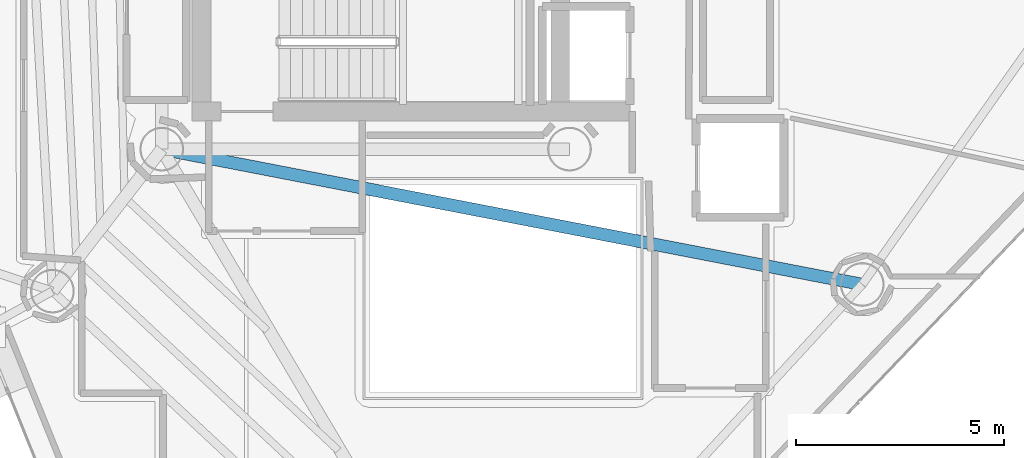
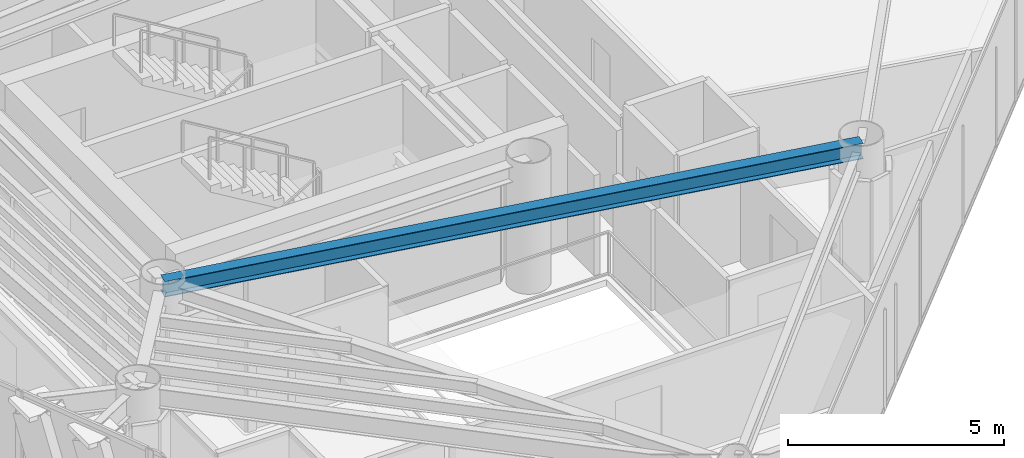
# One storey, part 5 of 21: 1 beam.
"""IFC4 building model written with IfcOpenShell, lengths in metres."""

from ifc_helpers import new_model, si_unit, direction, frame, origin, origin_2d, place, context, subcontext, project, spatial, i_section, extrude, material, material_profile, profile_set, type_object, element, save


model = new_model("IFC4")

# Units and contexts
model_context = context("Model", 3, precision=1e-05, world=origin(), true_north=direction((0.0, 1.0)))
body_context = subcontext(model_context, "Body", "Model", "MODEL_VIEW")
ifc_project = project(units=[si_unit("LENGTHUNIT", "METRE"), si_unit("AREAUNIT", "SQUARE_METRE"), si_unit("VOLUMEUNIT", "CUBIC_METRE"), si_unit("PLANEANGLEUNIT", "RADIAN"), si_unit("MASSUNIT", "GRAM", prefix="KILO")], contexts=[model_context])

# Site, building, storey
site_placement = place(None, origin())
site = spatial("IfcSite", under=ifc_project, at=site_placement, CompositionType="ELEMENT")
building_placement = place(site_placement, origin())
building = spatial("IfcBuilding", under=site, at=building_placement, Name="Qianvela Tower", CompositionType="ELEMENT")
storey_placement = place(building_placement, frame((0.0, 0.0, 242.699951171875)))
storey = spatial("IfcBuildingStorey", under=building, at=storey_placement, Name="L62", CompositionType="ELEMENT", Elevation=242.699951171875)

# Beam
ifc_material = material(Name="Steel Q355B", Category="steel")
ifc_material_profile = material_profile(ifc_material, i_section(OverallWidth=0.300048828125, OverallDepth=0.43994140625, WebThickness=0.010986328125, FlangeThickness=0.01806640625, at=origin_2d()), Name="HM440x300x11x18")
ifc_profile_set = profile_set([ifc_material_profile], Name="Steel Q355B")
beam_type = type_object("IfcBeamType", Name="BM-HM440-COLL", PredefinedType="BEAM", material=ifc_profile_set)
beam_placement = place(storey_placement, frame((28.60009765625, 23.85009765625, 3.298095703125), z_axis=(0.981849104236, -0.189663745904, 0.0), x_axis=(0.189663745904, 0.981849104236, 0.0)))
element("IfcBeam", 1, at=beam_placement, inside=storey, type_object=beam_type, Name="L62 Radial Primary Floor Girder 6", PredefinedType="BEAM", context=body_context, shape_type="SweptSolid", body=[
    extrude(i_section(OverallWidth=0.300048828125, OverallDepth=0.43994140625, WebThickness=0.010986328125, FlangeThickness=0.01806640625, at=origin_2d()), origin(), (0.0, 0.0, 1.0), 17.147216796875),
])

save(model, "model.ifc")
